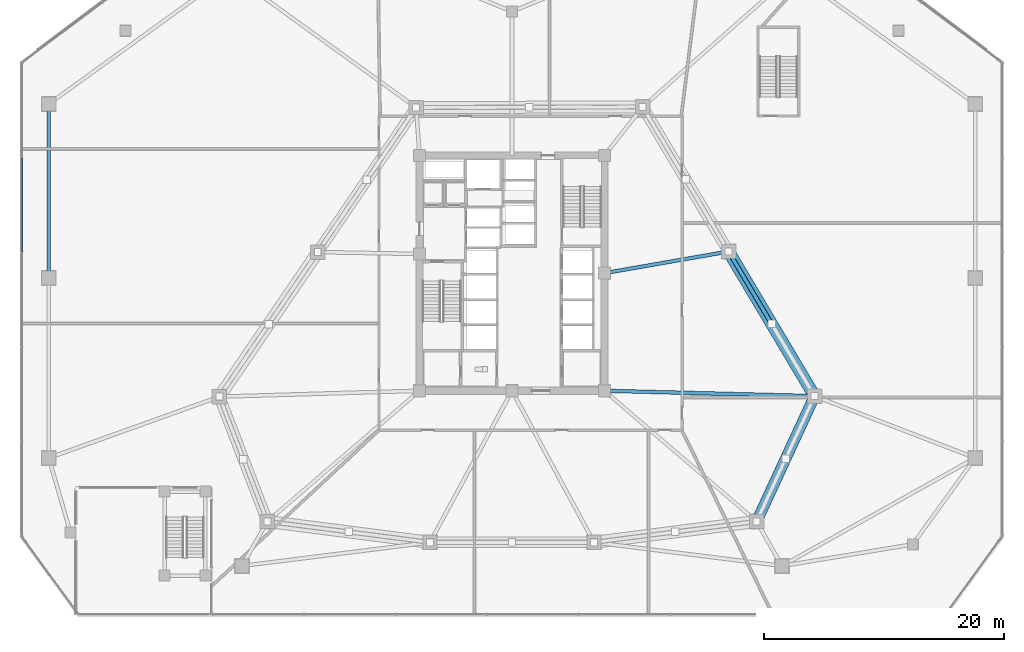
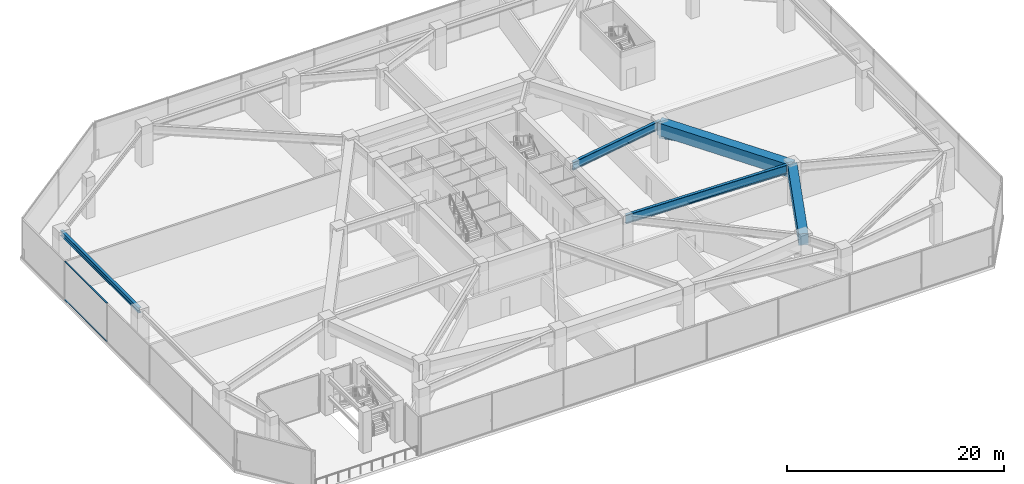
# One storey, part 6 of 23: 5 beams, 3 members, 1 element without a shape of its own.
"""IFC4 building model written with IfcOpenShell, lengths in metres."""

from ifc_helpers import new_model, si_unit, direction, frame, origin, origin_2d, place, context, subcontext, project, spatial, rectangle, hollow_circle, i_section, extrude, material, material_profile, profile_set, type_object, element, aggregate, save


model = new_model("IFC4")

# Units and contexts
model_context = context("Model", 3, precision=1e-05, world=origin(), true_north=direction((0.0, 1.0)))
body_context = subcontext(model_context, "Body", "Model", "MODEL_VIEW")
ifc_project = project(units=[si_unit("LENGTHUNIT", "METRE"), si_unit("AREAUNIT", "SQUARE_METRE"), si_unit("VOLUMEUNIT", "CUBIC_METRE"), si_unit("PLANEANGLEUNIT", "RADIAN"), si_unit("MASSUNIT", "GRAM", prefix="KILO")], contexts=[model_context])

# Site, building, storey
site_placement = place(None, origin())
site = spatial("IfcSite", under=ifc_project, at=site_placement, CompositionType="ELEMENT")
building_placement = place(site_placement, origin())
building = spatial("IfcBuilding", under=site, at=building_placement, Name="Savorim Split Tower", CompositionType="ELEMENT")
storey_placement = place(building_placement, frame((0.0, 0.0, 21.800048828125)))
storey = spatial("IfcBuildingStorey", under=building, at=storey_placement, Name="L05", CompositionType="ELEMENT", Elevation=21.800048828125)

# Beams
ifc_material_1 = material(Name="Steel S355", Category="steel")
ifc_material_profile_1 = material_profile(ifc_material_1, i_section(OverallWidth=0.300048828125, OverallDepth=0.590087890625, WebThickness=0.012939453125, FlangeThickness=0.02490234375, FilletRadius=0.027099609375, at=origin_2d()), Name="HEA 600")
ifc_profile_set_1 = profile_set([ifc_material_profile_1], Name="Steel S355")
beam_type_1 = type_object("IfcBeamType", Name="BM-SPN-HEA600", PredefinedType="SPANDREL", material=ifc_profile_set_1)
beam_1_placement = place(storey_placement, frame((-38.60009765625, 14.5, 4.054931640625), z_axis=(0.0, -1.0, 0.0), x_axis=(1.0, 0.0, 0.0)))
element("IfcBeam", 1, at=beam_1_placement, inside=storey, type_object=beam_type_1, Name="L05 Podium Spandrel Beam 10", PredefinedType="SPANDREL", context=body_context, shape_type="SweptSolid", body=[
    extrude(i_section(OverallWidth=0.300048828125, OverallDepth=0.590087890625, WebThickness=0.012939453125, FlangeThickness=0.02490234375, FilletRadius=0.027099609375, at=origin_2d()), origin(), (0.0, 0.0, 1.0), 14.5),
])
ifc_material_2 = material(Name="Steel S460", Category="steel")
ifc_material_profile_2 = material_profile(ifc_material_2, i_section(OverallWidth=0.302001953125, OverallDepth=1.008056640625, WebThickness=0.02099609375, FlangeThickness=0.0400390625, FilletRadius=0.030029296875, at=origin_2d()), Name="HE 1000 M")
ifc_profile_set_2 = profile_set([ifc_material_profile_2], Name="Steel S460")
beam_type_2 = type_object("IfcBeamType", Name="BM-TRF-HEM1000", PredefinedType="BEAM", material=ifc_profile_set_2)
beam_2_placement = place(storey_placement, frame((25.21337890625, -9.845458984375, 3.845947265625), z_axis=(-0.999676538363, 0.025432629574, 0.0), x_axis=(-0.025432629574, -0.999676538363, 0.0)))
element("IfcBeam", 2, at=beam_2_placement, inside=storey, type_object=beam_type_2, Name="L05 Radial Transfer Girder PC-E1", PredefinedType="BEAM", context=body_context, shape_type="SweptSolid", body=[
    extrude(i_section(OverallWidth=0.302001953125, OverallDepth=1.008056640625, WebThickness=0.02099609375, FlangeThickness=0.0400390625, FilletRadius=0.030029296875, at=origin_2d()), origin(), (0.0, 0.0, 1.0), 17.51904296875),
])
ifc_material_profile_3 = material_profile(ifc_material_2, i_section(OverallWidth=0.302001953125, OverallDepth=0.909912109375, WebThickness=0.02099609375, FlangeThickness=0.0400390625, FilletRadius=0.030029296875, at=origin_2d()), Name="HE 900 M")
ifc_profile_set_3 = profile_set([ifc_material_profile_3], Name="Steel S460")
beam_type_3 = type_object("IfcBeamType", Name="BM-TRF-HEM900", PredefinedType="BEAM", material=ifc_profile_set_3)
beam_3_placement = place(storey_placement, frame((18.049560546875, 2.202392578125, 3.89501953125), z_axis=(-0.985170620197, -0.171577530876, 0.0), x_axis=(0.171577530876, -0.985170620197, 0.0)))
element("IfcBeam", 3, at=beam_3_placement, inside=storey, type_object=beam_type_3, Name="L05 Radial Transfer Girder PC-E2", PredefinedType="BEAM", context=body_context, shape_type="SweptSolid", body=[
    extrude(i_section(OverallWidth=0.302001953125, OverallDepth=0.909912109375, WebThickness=0.02099609375, FlangeThickness=0.0400390625, FilletRadius=0.030029296875, at=origin_2d()), origin(), (0.0, 0.0, 1.0), 10.50537109375),
])
ifc_material_3 = material(Name="Concrete C60/75", Category="concrete")
ifc_material_profile_4 = material_profile(ifc_material_3, rectangle(XDim=0.89990234375, YDim=1.300048828125, at=origin_2d()), Name="RC 900x1300")
ifc_profile_set_4 = profile_set([ifc_material_profile_4], Name="Concrete C60/75")
beam_type_4 = type_object("IfcBeamType", Name="BM-TRF-RC1300", PredefinedType="BEAM", material=ifc_profile_set_4)
beam_4_placement = place(storey_placement, frame((20.384033203125, -20.291748046875, 3.699951171875), z_axis=(0.419629831689, 0.907695325732, 0.0), x_axis=(-0.907695325732, 0.419629831689, 0.0)))
element("IfcBeam", 4, at=beam_4_placement, inside=storey, type_object=beam_type_4, Name="L05 Transfer Belt Girder PC-S4-PC-E1", PredefinedType="BEAM", context=body_context, shape_type="SweptSolid", body=[
    extrude(rectangle(XDim=0.89990234375, YDim=1.300048828125, at=origin_2d()), origin(), (0.0, 0.0, 1.0), 11.508544921875),
])
ifc_material_profile_5 = material_profile(ifc_material_3, rectangle(XDim=1.0, YDim=1.39990234375, at=origin_2d()), Name="RC 1000x1400")
ifc_profile_set_5 = profile_set([ifc_material_profile_5], Name="Concrete C60/75")
beam_type_5 = type_object("IfcBeamType", Name="BM-TRF-RC1400", PredefinedType="BEAM", material=ifc_profile_set_5)
beam_5_placement = place(storey_placement, frame((25.21337890625, -9.845458984375, 3.64990234375), z_axis=(-0.511087565476, 0.859528650142, 0.0), x_axis=(-0.859528650142, -0.511087565476, 0.0)))
element("IfcBeam", 5, at=beam_5_placement, inside=storey, type_object=beam_type_5, Name="L05 Transfer Belt Girder PC-E1-PC-E2", PredefinedType="BEAM", context=body_context, shape_type="SweptSolid", body=[
    extrude(rectangle(XDim=1.0, YDim=1.39990234375, at=origin_2d()), origin(), (0.0, 0.0, 1.0), 14.016845703125),
])

# Curtain wall, members
ifc_material_4 = material(Name="Dark Ceramic-Fritted Insulated Glass", Category="glass")
curtain_wall_type = type_object("IfcCurtainWallType", Name="CW-REFUGE-LVR", PredefinedType="NOTDEFINED", material=ifc_material_4)
curtain_wall_placement = place(storey_placement, origin())
curtain_wall = element("IfcCurtainWall", 6, at=curtain_wall_placement, inside=storey, type_object=curtain_wall_type, Name="L05 Curtain Wall CW-L05-E10", PredefinedType="NOTDEFINED")
ifc_material_5 = material(Name="Charcoal Anodised Aluminium", Category="aluminium")
ifc_material_profile_6 = material_profile(ifc_material_5, rectangle(XDim=0.139892578125, YDim=0.054931640625, at=origin_2d()), Name="ALU-T 140x55")
ifc_profile_set_6 = profile_set([ifc_material_profile_6], Name="Charcoal Anodised Aluminium")
member_type_1 = type_object("IfcMemberType", Name="CWT-140x55", PredefinedType="USERDEFINED", material=ifc_profile_set_6)
member_1_placement = place(storey_placement, frame((-40.840087890625, 9.96337890625, 0.02734375), z_axis=(0.0, -1.0, 0.0), x_axis=(1.0, 0.0, 0.0)))
member_1 = element("IfcMember", 7, at=member_1_placement, type_object=member_type_1, Name="CW-06 transom 2.1", ObjectType="TRANSOM", PredefinedType="USERDEFINED", context=body_context, shape_type="SweptSolid", body=[
    extrude(rectangle(XDim=0.139892578125, YDim=0.054931640625, at=origin_2d()), origin(), (0.0, 0.0, 1.0), 7.798828125),
])
member_2_placement = place(storey_placement, frame((-40.840087890625, 9.96337890625, 4.322509765625), z_axis=(0.0, -1.0, 0.0), x_axis=(1.0, 0.0, 0.0)))
member_2 = element("IfcMember", 8, at=member_2_placement, type_object=member_type_1, Name="CW-06 transom 2.2", ObjectType="TRANSOM", PredefinedType="USERDEFINED", context=body_context, shape_type="SweptSolid", body=[
    extrude(rectangle(XDim=0.139892578125, YDim=0.054931640625, at=origin_2d()), origin(), (0.0, 0.0, 1.0), 7.798828125),
])
aggregate(curtain_wall, [member_1, member_2])

# Member
ifc_material_profile_7 = material_profile(ifc_material_2, hollow_circle(Radius=0.177734375, WallThickness=0.02001953125, at=origin_2d()), Name="CHS 355.6x20")
ifc_profile_set_7 = profile_set([ifc_material_profile_7], Name="Steel S460")
member_type_2 = type_object("IfcMemberType", Name="MBR-BLT-CHS355", PredefinedType="BRACE", material=ifc_profile_set_7)
member_3_placement = place(storey_placement, frame((18.049560546875, 2.202392578125, 2.47998046875), z_axis=(0.503889137294, -0.847393714122, 0.167390652615), x_axis=(0.859520998616, 0.511100433318, 0.0)))
element("IfcMember", 9, at=member_3_placement, inside=storey, type_object=member_type_2, Name="L05 Transfer Belt Truss Brace 5B", PredefinedType="BRACE", context=body_context, shape_type="SweptSolid", body=[
    extrude(hollow_circle(Radius=0.177734375, WallThickness=0.02001953125, at=origin_2d()), origin(), (0.0, 0.0, 1.0), 7.10888671875),
])

save(model, "model.ifc")
